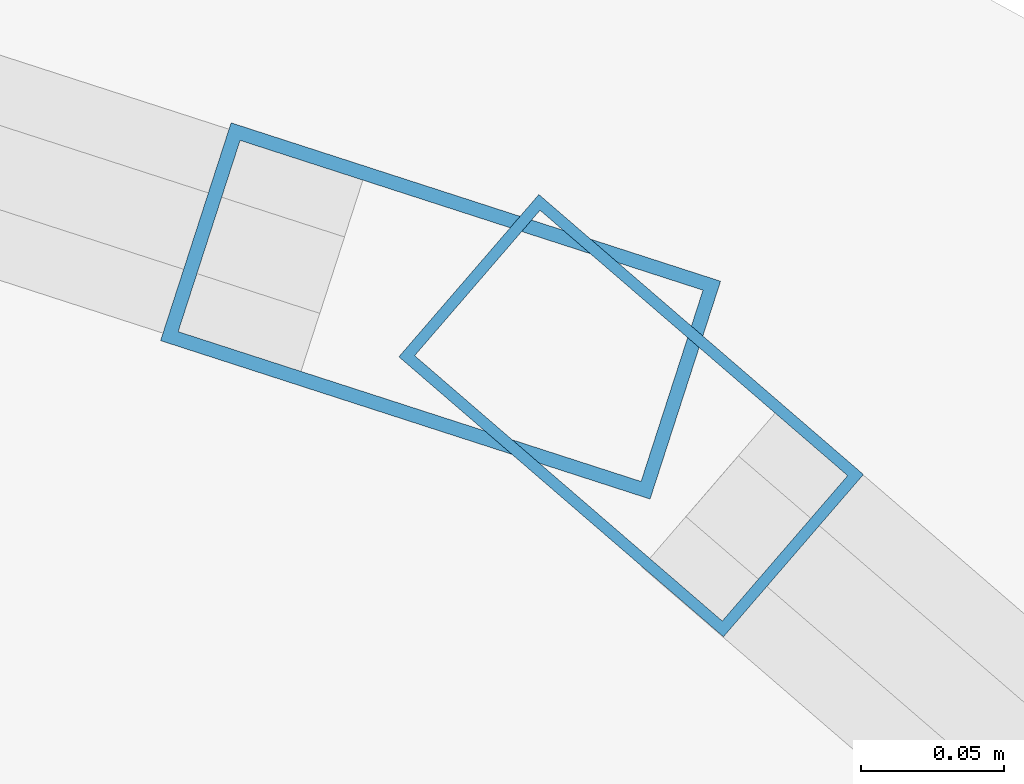
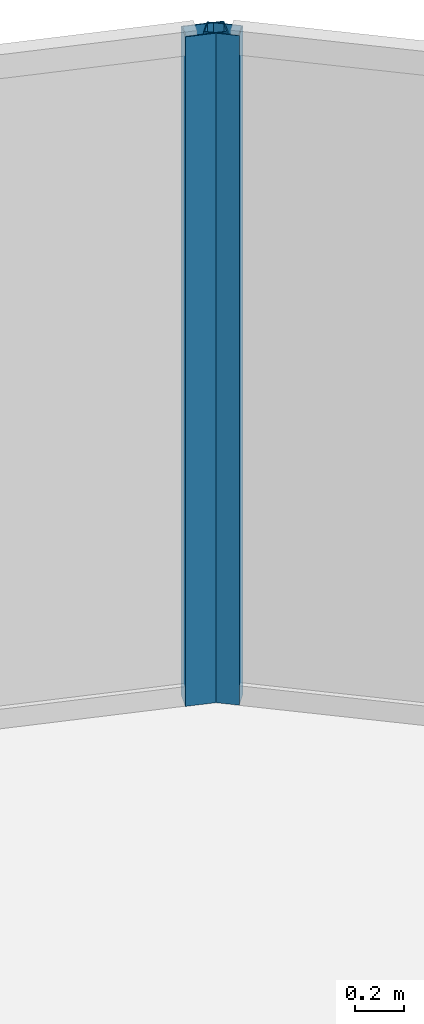
# One storey, part 19 of 34: 2 members, 2 elements without a shape of their own.
"""IFC4 building model written with IfcOpenShell, lengths in metres."""

from ifc_helpers import new_model, si_unit, direction, frame, origin, origin_2d, place, context, subcontext, project, spatial, hollow_rectangle, extrude, material, layer, layer_set, material_profile, profile_set, type_object, element, aggregate, save


model = new_model("IFC4")

# Units and contexts
model_context = context("Model", 3, precision=1e-05, world=origin(), true_north=direction((0.0, 1.0)))
body_context = subcontext(model_context, "Body", "Model", "MODEL_VIEW")
ifc_project = project(units=[si_unit("LENGTHUNIT", "METRE"), si_unit("AREAUNIT", "SQUARE_METRE"), si_unit("VOLUMEUNIT", "CUBIC_METRE"), si_unit("PLANEANGLEUNIT", "RADIAN"), si_unit("MASSUNIT", "GRAM", prefix="KILO")], contexts=[model_context])

# Site, building, storey
site_placement = place(None, origin())
site = spatial("IfcSite", under=ifc_project, at=site_placement, CompositionType="ELEMENT")
building_placement = place(site_placement, origin())
building = spatial("IfcBuilding", under=site, at=building_placement, Name="Kazevale Care Tower and Concert Hall", CompositionType="ELEMENT")
storey_placement = place(building_placement, frame((0.0, 0.0, 67.199951171875)))
storey = spatial("IfcBuildingStorey", under=building, at=storey_placement, Name="L17", CompositionType="ELEMENT", Elevation=67.199951171875)

# Curtain wall, member
ifc_material_1 = material(Name="Aluminium 6063-T6 and Low-E Glass", Category="aluminium")
ifc_layer_1 = layer(ifc_material_1, 0.179931640625)
ifc_layer_set_1 = layer_set([ifc_layer_1], Name="Aluminium 6063-T6 and Low-E Glass")
curtain_wall_type_1 = type_object("IfcCurtainWallType", Name="Convex Checkerboard Finned Curtain Wall CW-2", PredefinedType="NOTDEFINED", material=ifc_layer_set_1)
curtain_wall_1_placement = place(storey_placement, origin())
curtain_wall_1 = element("IfcCurtainWall", 1, at=curtain_wall_1_placement, inside=storey, type_object=curtain_wall_type_1, Name="cw:L17:f16", PredefinedType="NOTDEFINED")
ifc_material_2 = material(Name="Aluminium 6063-T6", Category="aluminium")
ifc_material_profile_1 = material_profile(ifc_material_2, hollow_rectangle(XDim=0.080078125, YDim=0.179931640625, WallThickness=0.0048828125, at=origin_2d()), Name="ALU80x180x5")
ifc_profile_set_1 = profile_set([ifc_material_profile_1], Name="Aluminium 6063-T6")
member_type_1 = type_object("IfcMemberType", Name="CW-2 Mullion ALU80x180x5", PredefinedType="MULLION", material=ifc_profile_set_1)
member_1_placement = place(storey_placement, frame((63.891845703125, 61.240234375, 0.0), z_axis=(0.0, 0.0, 1.0), x_axis=(0.307925769029, 0.951410385043, 0.0)))
member_1 = element("IfcMember", 2, at=member_1_placement, type_object=member_type_1, Name="CW-2 mullion 2", PredefinedType="MULLION", context=body_context, shape_type="SweptSolid", body=[
    extrude(hollow_rectangle(XDim=0.080078125, YDim=0.179931640625, WallThickness=0.0048828125, at=origin_2d()), origin(), (0.0, 0.0, 1.0), 3.360107421875),
])
aggregate(curtain_wall_1, [member_1])

ifc_layer_2 = layer(ifc_material_1, 0.179931640625)
ifc_layer_set_2 = layer_set([ifc_layer_2], Name="Aluminium 6063-T6 and Low-E Glass")
curtain_wall_type_2 = type_object("IfcCurtainWallType", Name="Convex Recessed Sunroom Curtain Wall CW-3", PredefinedType="NOTDEFINED", material=ifc_layer_set_2)
curtain_wall_2_placement = place(storey_placement, origin())
curtain_wall_2 = element("IfcCurtainWall", 3, at=curtain_wall_2_placement, inside=storey, type_object=curtain_wall_type_2, Name="cw:L17:f17", PredefinedType="NOTDEFINED")
ifc_material_profile_2 = material_profile(ifc_material_2, hollow_rectangle(XDim=0.074951171875, YDim=0.14990234375, WallThickness=0.00390625, at=origin_2d()), Name="ALU75x150x4")
ifc_profile_set_2 = profile_set([ifc_material_profile_2], Name="Aluminium 6063-T6")
member_type_2 = type_object("IfcMemberType", Name="CW-3 Mullion ALU75x150x4", PredefinedType="MULLION", material=ifc_profile_set_2)
member_2_placement = place(storey_placement, frame((63.95849609375, 61.20361328125, 0.0), z_axis=(0.0, 0.0, 1.0), x_axis=(0.653183596561, 0.757199570248, 0.0)))
member_2 = element("IfcMember", 4, at=member_2_placement, type_object=member_type_2, Name="CW-3 mullion 1", PredefinedType="MULLION", context=body_context, shape_type="SweptSolid", body=[
    extrude(hollow_rectangle(XDim=0.074951171875, YDim=0.14990234375, WallThickness=0.00390625, at=origin_2d()), origin(), (0.0, 0.0, 1.0), 3.360107421875),
])
aggregate(curtain_wall_2, [member_2])

save(model, "model.ifc")
